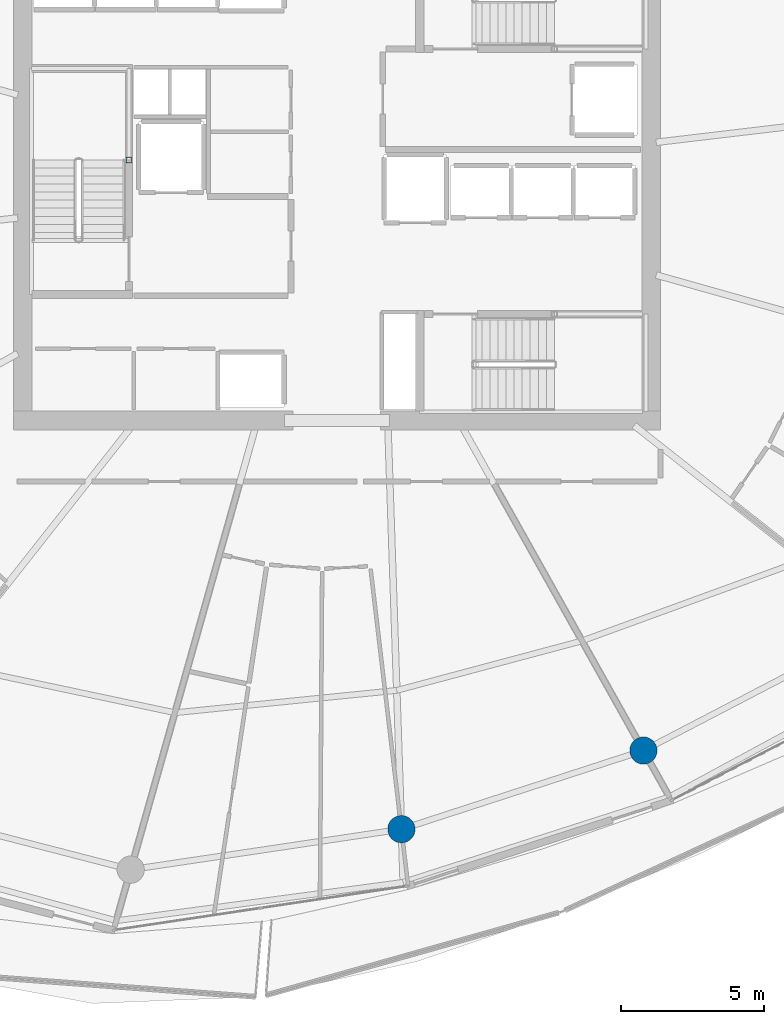
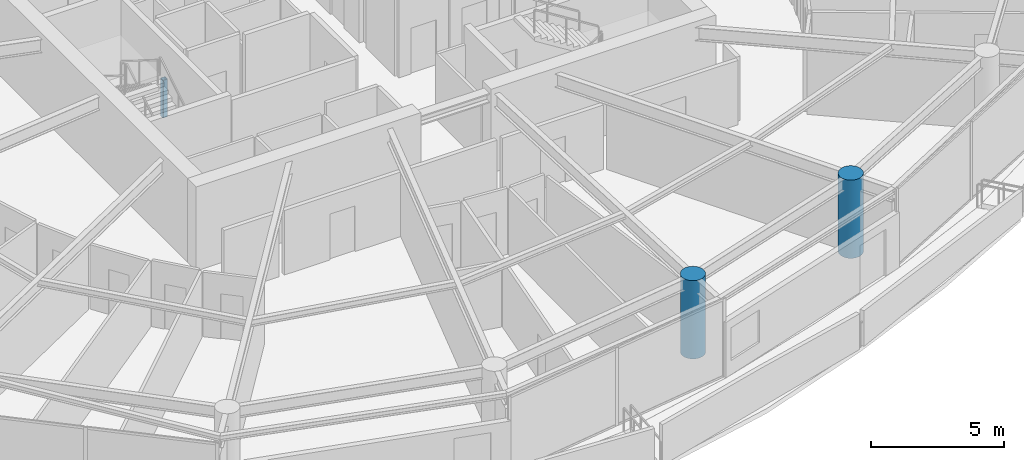
# One storey, part 2 of 30: 3 columns.
"""IFC4 building model written with IfcOpenShell, lengths in metres."""

from ifc_helpers import new_model, si_unit, direction, frame, origin, origin_2d, place, context, subcontext, project, spatial, hollow_rectangle, circle, extrude, material, material_profile, profile_set, type_object, element, save


model = new_model("IFC4")

# Units and contexts
model_context = context("Model", 3, precision=1e-05, world=origin(), true_north=direction((0.0, 1.0)))
body_context = subcontext(model_context, "Body", "Model", "MODEL_VIEW")
ifc_project = project(units=[si_unit("LENGTHUNIT", "METRE"), si_unit("AREAUNIT", "SQUARE_METRE"), si_unit("VOLUMEUNIT", "CUBIC_METRE"), si_unit("PLANEANGLEUNIT", "RADIAN"), si_unit("MASSUNIT", "GRAM", prefix="KILO")], contexts=[model_context])

# Site, building, storey
site_placement = place(None, origin())
site = spatial("IfcSite", under=ifc_project, at=site_placement, CompositionType="ELEMENT")
building_placement = place(site_placement, origin())
building = spatial("IfcBuilding", under=site, at=building_placement, Name="Kazma Halo Residences", CompositionType="ELEMENT")
storey_placement = place(building_placement, frame((0.0, 0.0, 236.699951171875)))
storey = spatial("IfcBuildingStorey", under=building, at=storey_placement, Name="L59", CompositionType="ELEMENT", Elevation=236.699951171875)

# Columns
ifc_material_1 = material(Name="Steel S355", Category="steel")
ifc_material_profile_1 = material_profile(ifc_material_1, hollow_rectangle(XDim=0.199951171875, YDim=0.199951171875, WallThickness=0.010009765625, InnerFilletRadius=0.010009765625, OuterFilletRadius=0.02001953125, at=origin_2d()), Name="SHS200x200x10")
ifc_profile_set_1 = profile_set([ifc_material_profile_1], Name="Steel S355")
column_type_1 = type_object("IfcColumnType", Name="COL-LP-SHS200", PredefinedType="COLUMN", material=ifc_profile_set_1)
column_placement = place(storey_placement, frame((41.179931640625, 42.75, 0.0), z_axis=(0.0, 0.0, 1.0), x_axis=(1.0, 0.0, 0.0)))
element("IfcColumn", 1, at=column_placement, inside=storey, type_object=column_type_1, Name="L59 ST-01 landing pilaster 1", PredefinedType="COLUMN", context=body_context, shape_type="SweptSolid", body=[
    extrude(hollow_rectangle(XDim=0.199951171875, YDim=0.199951171875, WallThickness=0.010009765625, InnerFilletRadius=0.010009765625, OuterFilletRadius=0.02001953125, at=origin_2d()), origin(), (0.0, 0.0, 1.0), 1.719970703125),
])
ifc_material_2 = material(Name="Concrete C60/75", Category="concrete")
ifc_material_profile_2 = material_profile(ifc_material_2, circle(Radius=0.47509765625, at=origin_2d()), Name="CIRC950")
ifc_profile_set_2 = profile_set([ifc_material_profile_2], Name="Concrete C60/75")
column_type_2 = type_object("IfcColumnType", Name="COL-PERIM-950", PredefinedType="COLUMN", material=ifc_profile_set_2)
for number, where, z_axis, x_axis, name in (
    (2, (50.67138671875, 19.42919921875, 0.0), (0.0, 0.0, 1.0), (1.0, 0.0, 0.0), "L59 perimeter ring column P12"),
    (3, (59.10546875, 22.169677734375, 0.0), (0.0, 0.0, 1.0), (1.0, 0.0, 0.0), "L59 perimeter ring column P13"),
):
    element("IfcColumn", number, at=place(storey_placement, frame(where, z_axis=z_axis, x_axis=x_axis)), inside=storey, type_object=column_type_2, Name=name, PredefinedType="COLUMN", context=body_context, shape_type="SweptSolid", body=[
        extrude(circle(Radius=0.47509765625, at=origin_2d()), origin(), (0.0, 0.0, 1.0), 3.590087890625),
    ])

save(model, "model.ifc")
